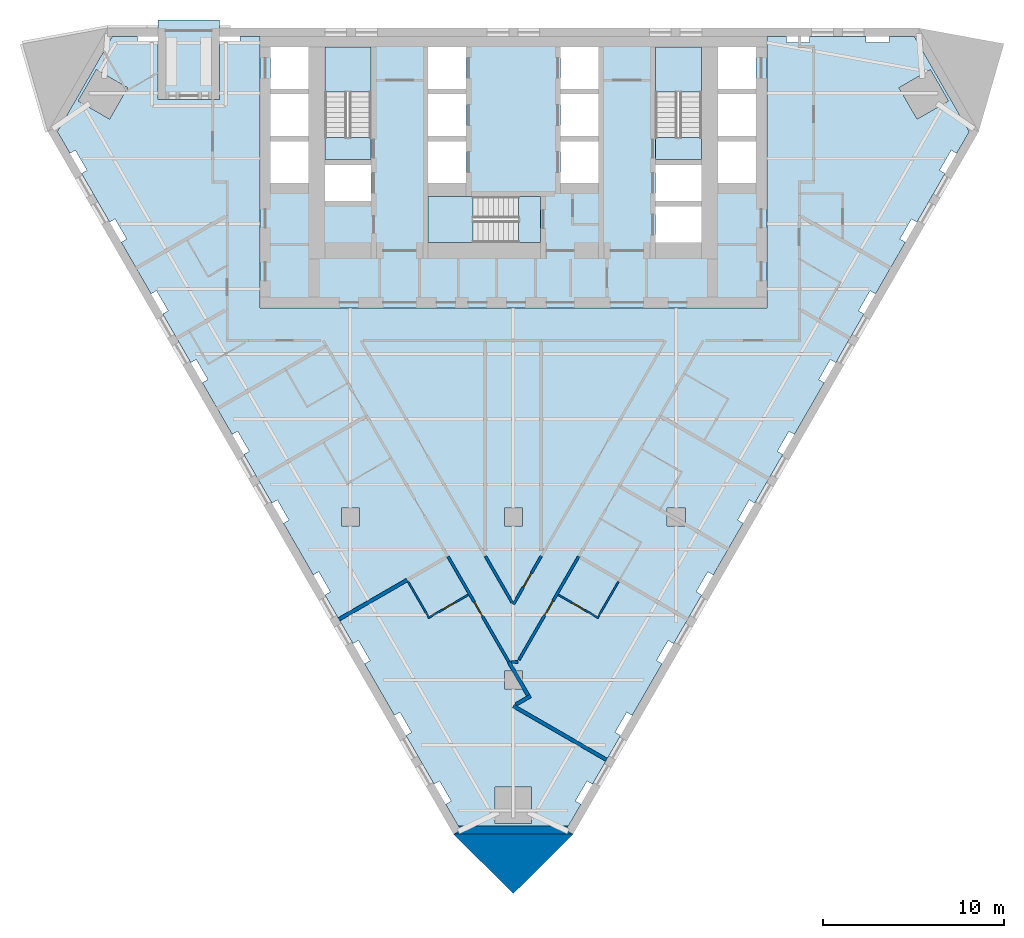
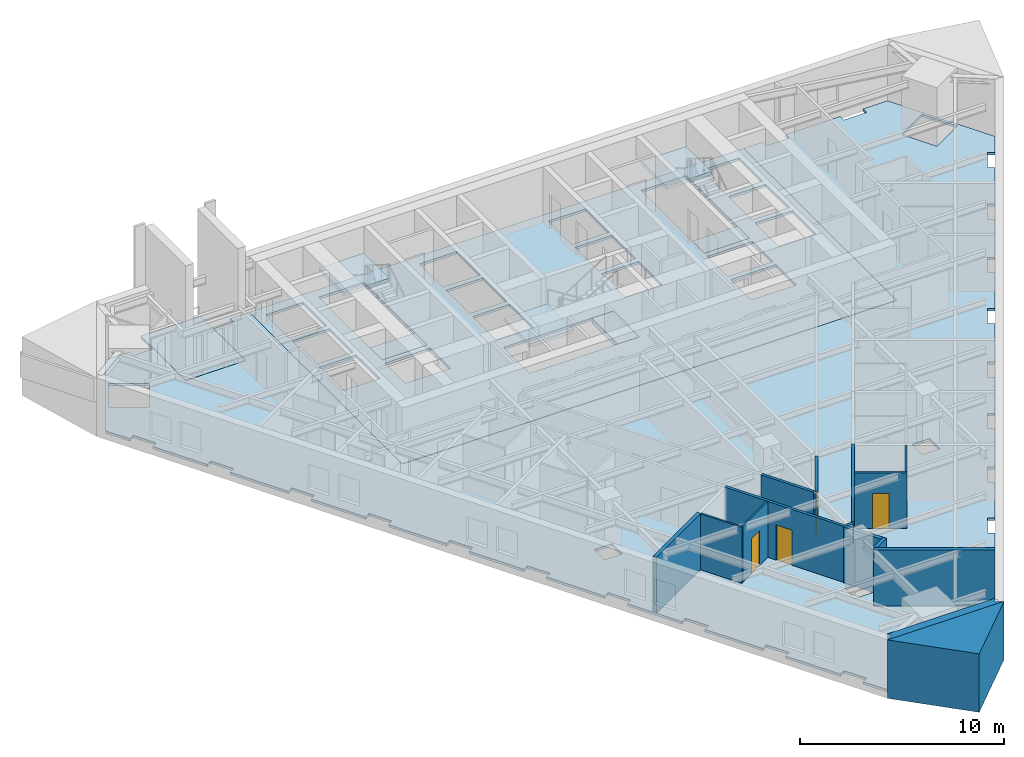
# One storey, part 2 of 10: 15 walls, 9 slabs, 5 doors, 5 openings, 3 elements without a shape of their own.
"""IFC4 building model written with IfcOpenShell, lengths in metres."""

from ifc_helpers import new_model, si_unit, direction, frame, frame_2d, origin, place, context, subcontext, project, spatial, polyline, rectangle, outline, extrude, material, layer, layer_set, type_object, element, fill, aggregate, save


model = new_model("IFC4")

# Units and contexts
model_context = context("Model", 3, precision=1e-05, world=origin(), true_north=direction((0.0, 1.0)))
body_context = subcontext(model_context, "Body", "Model", "MODEL_VIEW")
ifc_project = project(units=[si_unit("LENGTHUNIT", "METRE"), si_unit("AREAUNIT", "SQUARE_METRE"), si_unit("VOLUMEUNIT", "CUBIC_METRE"), si_unit("PLANEANGLEUNIT", "RADIAN"), si_unit("MASSUNIT", "GRAM", prefix="KILO")], contexts=[model_context])

# Site, building, storey
site_placement = place(None, origin())
site = spatial("IfcSite", under=ifc_project, at=site_placement, CompositionType="ELEMENT")
building_placement = place(site_placement, origin())
building = spatial("IfcBuilding", under=site, at=building_placement, Name="Aloe Facet Convention Tower", CompositionType="ELEMENT")
storey_placement = place(building_placement, frame((0.0, 0.0, 45.5)))
storey = spatial("IfcBuildingStorey", under=building, at=storey_placement, Name="L09", CompositionType="ELEMENT", Elevation=45.5)

# Slabs
ifc_material_1 = material(Name="Concrete C80/95", Category="concrete")
ifc_layer_1 = layer(ifc_material_1, 0.14990234375)
ifc_layer_set_1 = layer_set([ifc_layer_1], Name="CR-S-FLOOR150-C8095")
slab_type_1 = type_object("IfcSlabType", Name="CR-S-FLOOR150-C8095", PredefinedType="FLOOR", material=ifc_layer_set_1)
slab_1_placement = place(storey_placement, frame((0.0, 0.0, -0.14990234375)))
element("IfcSlab", 1, at=slab_1_placement, inside=storey, type_object=slab_type_1, Name="Core floor L09", PredefinedType="FLOOR", context=body_context, shape_type="SweptSolid", body=[
    extrude(outline(polyline([(69.300048828125, 134.550048828125), (71.85009765625, 134.550048828125), (72.75, 134.550048828125), (74.699951171875, 134.550048828125), (75.60009765625, 134.550048828125), (77.10009765625, 134.550048828125), (78.0, 134.550048828125), (82.0, 134.550048828125), (82.89990234375, 134.550048828125), (84.39990234375, 134.550048828125), (85.300048828125, 134.550048828125), (87.25, 134.550048828125), (88.14990234375, 134.550048828125), (90.699951171875, 134.550048828125), (91.0, 134.550048828125), (94.0, 134.550048828125), (94.0, 131.949951171875), (94.0, 131.050048828125), (94.0, 129.35009765625), (94.0, 128.449951171875), (94.0, 126.449951171875), (94.0, 125.85009765625), (94.0, 123.57373046875), (94.0, 122.523681640625), (94.0, 119.550048828125), (91.300048828125, 119.550048828125), (90.699951171875, 119.550048828125), (87.89990234375, 119.550048828125), (86.85009765625, 119.550048828125), (85.699951171875, 119.550048828125), (84.64990234375, 119.550048828125), (83.699951171875, 119.550048828125), (82.64990234375, 119.550048828125), (81.75, 119.550048828125), (80.699951171875, 119.550048828125), (79.61669921875, 119.550048828125), (78.566650390625, 119.550048828125), (77.4833984375, 119.550048828125), (76.433349609375, 119.550048828125), (75.35009765625, 119.550048828125), (74.300048828125, 119.550048828125), (73.14990234375, 119.550048828125), (72.10009765625, 119.550048828125), (69.300048828125, 119.550048828125), (68.699951171875, 119.550048828125), (66.0, 119.550048828125), (66.0, 122.523681640625), (66.0, 123.57373046875), (66.0, 125.85009765625), (66.0, 126.449951171875), (66.0, 128.449951171875), (66.0, 129.35009765625), (66.0, 131.050048828125), (66.0, 131.949951171875), (66.0, 134.550048828125), (69.0, 134.550048828125), (69.300048828125, 134.550048828125)]), holes=[polyline([(75.300048828125, 123.14990234375), (80.298828125, 123.14990234375), (81.5, 123.14990234375), (81.5, 125.699951171875), (80.298828125, 125.699951171875), (75.300048828125, 125.699951171875), (75.300048828125, 123.14990234375)]), polyline([(69.60009765625, 125.449951171875), (72.14990234375, 125.449951171875), (72.14990234375, 127.449951171875), (69.60009765625, 127.449951171875), (69.60009765625, 125.449951171875)]), polyline([(66.60009765625, 126.449951171875), (68.699951171875, 126.449951171875), (68.699951171875, 128.75), (66.60009765625, 128.75), (66.60009765625, 126.449951171875)]), polyline([(75.300048828125, 126.449951171875), (77.39990234375, 126.449951171875), (77.39990234375, 128.75), (75.300048828125, 128.75), (75.300048828125, 126.449951171875)]), polyline([(66.60009765625, 129.050048828125), (68.699951171875, 129.050048828125), (68.699951171875, 131.35009765625), (66.60009765625, 131.35009765625), (66.60009765625, 129.050048828125)]), polyline([(75.300048828125, 129.050048828125), (77.39990234375, 129.050048828125), (77.39990234375, 131.35009765625), (75.300048828125, 131.35009765625), (75.300048828125, 129.050048828125)]), polyline([(69.60009765625, 133.949951171875), (69.60009765625, 128.951171875), (69.60009765625, 127.75), (72.14990234375, 127.75), (72.14990234375, 128.951171875), (72.14990234375, 133.949951171875), (69.60009765625, 133.949951171875)]), polyline([(66.60009765625, 133.949951171875), (66.60009765625, 131.64990234375), (68.699951171875, 131.64990234375), (68.699951171875, 133.949951171875), (66.60009765625, 133.949951171875)]), polyline([(75.300048828125, 133.949951171875), (75.300048828125, 131.64990234375), (77.39990234375, 131.64990234375), (77.39990234375, 133.949951171875), (75.300048828125, 133.949951171875)]), polyline([(87.85009765625, 123.14990234375), (90.39990234375, 123.14990234375), (90.39990234375, 125.14990234375), (87.85009765625, 125.14990234375), (87.85009765625, 123.14990234375)]), polyline([(87.85009765625, 125.449951171875), (90.39990234375, 125.449951171875), (90.39990234375, 127.449951171875), (87.85009765625, 127.449951171875), (87.85009765625, 125.449951171875)]), polyline([(82.60009765625, 126.449951171875), (84.699951171875, 126.449951171875), (84.699951171875, 128.75), (82.60009765625, 128.75), (82.60009765625, 126.449951171875)]), polyline([(91.300048828125, 126.449951171875), (93.39990234375, 126.449951171875), (93.39990234375, 128.75), (91.300048828125, 128.75), (91.300048828125, 126.449951171875)]), polyline([(82.60009765625, 129.050048828125), (84.699951171875, 129.050048828125), (84.699951171875, 131.35009765625), (82.60009765625, 131.35009765625), (82.60009765625, 129.050048828125)]), polyline([(91.300048828125, 129.050048828125), (93.39990234375, 129.050048828125), (93.39990234375, 131.35009765625), (91.300048828125, 131.35009765625), (91.300048828125, 129.050048828125)]), polyline([(87.85009765625, 133.949951171875), (87.85009765625, 128.951171875), (87.85009765625, 127.75), (90.39990234375, 127.75), (90.39990234375, 128.951171875), (90.39990234375, 133.949951171875), (87.85009765625, 133.949951171875)]), polyline([(82.60009765625, 133.949951171875), (82.60009765625, 131.64990234375), (84.699951171875, 131.64990234375), (84.699951171875, 133.949951171875), (82.60009765625, 133.949951171875)]), polyline([(91.300048828125, 133.949951171875), (91.300048828125, 131.64990234375), (93.39990234375, 131.64990234375), (93.39990234375, 133.949951171875), (91.300048828125, 133.949951171875)])]), origin(), (0.0, 0.0, 1.0), 0.14990234375),
])
ifc_material_2 = material(Name="Concrete C80/95", Category="concrete")
ifc_layer_2 = layer(ifc_material_2, 0.300048828125)
ifc_layer_set_2 = layer_set([ifc_layer_2], Name="CR-S-FLOOR300-C8095")
slab_type_2 = type_object("IfcSlabType", Name="CR-S-FLOOR300-C8095", PredefinedType="FLOOR", material=ifc_layer_set_2)
slab_2_placement = place(storey_placement, frame((0.0, 0.0, -0.300048828125)))
element("IfcSlab", 2, at=slab_2_placement, inside=storey, type_object=slab_type_2, Name="Stair landing floor L09", PredefinedType="FLOOR", context=body_context, shape_type="SweptSolid", body=[
    extrude(outline(polyline([(72.14990234375, 127.75), (72.14990234375, 128.951171875), (69.60009765625, 128.951171875), (69.60009765625, 127.75), (72.14990234375, 127.75)])), origin(), (0.0, 0.0, 1.0), 0.300048828125),
])
slab_3_placement = place(storey_placement, frame((0.0, 0.0, -0.300048828125)))
element("IfcSlab", 3, at=slab_3_placement, inside=storey, type_object=slab_type_2, Name="Stair landing floor L09", PredefinedType="FLOOR", context=body_context, shape_type="SweptSolid", body=[
    extrude(outline(polyline([(90.39990234375, 127.75), (90.39990234375, 128.951171875), (87.85009765625, 128.951171875), (87.85009765625, 127.75), (90.39990234375, 127.75)])), origin(), (0.0, 0.0, 1.0), 0.300048828125),
])
slab_4_placement = place(storey_placement, frame((0.0, 0.0, -0.300048828125)))
element("IfcSlab", 4, at=slab_4_placement, inside=storey, type_object=slab_type_2, Name="Stair landing floor L09", PredefinedType="FLOOR", context=body_context, shape_type="SweptSolid", body=[
    extrude(outline(polyline([(81.5, 125.699951171875), (80.298828125, 125.699951171875), (80.298828125, 123.14990234375), (81.5, 123.14990234375), (81.5, 125.699951171875)])), origin(), (0.0, 0.0, 1.0), 0.300048828125),
])

# Stair, slab
ifc_material_3 = material(Name="Concrete C50/60", Category="concrete")
stair_type = type_object("IfcStairType", Name="CR-ST-20R", PredefinedType="HALF_TURN_STAIR", material=ifc_material_3)
stair_1_placement = place(storey_placement, origin())
stair_1 = element("IfcStair", 5, at=stair_1_placement, inside=storey, type_object=stair_type, Name="L09 Protected exit stair ST1", PredefinedType="HALF_TURN_STAIR")
ifc_material_4 = material(Name="Concrete C50/60", Category="concrete")
ifc_layer_3 = layer(ifc_material_4, 0.199951171875)
ifc_layer_set_3 = layer_set([ifc_layer_3], Name="CR-SL-LANDING")
slab_type_3 = type_object("IfcSlabType", Name="CR-SL-LANDING", PredefinedType="LANDING", material=ifc_layer_set_3)
slab_5_placement = place(storey_placement, frame((0.0, 0.0, 1.550048828125)))
slab_5 = element("IfcSlab", 6, at=slab_5_placement, type_object=slab_type_3, Name="ST1 landing 1", PredefinedType="LANDING", context=body_context, shape_type="SweptSolid", body=[
    extrude(outline(polyline([(72.14990234375, 131.469970703125), (72.14990234375, 133.949951171875), (69.60009765625, 133.949951171875), (69.60009765625, 131.469970703125), (72.14990234375, 131.469970703125)])), origin(), (0.0, 0.0, 1.0), 0.199951171875),
])
aggregate(stair_1, [slab_5])

stair_2_placement = place(storey_placement, origin())
stair_2 = element("IfcStair", 7, at=stair_2_placement, inside=storey, type_object=stair_type, Name="L09 Protected exit stair ST2", PredefinedType="HALF_TURN_STAIR")
slab_6_placement = place(storey_placement, frame((0.0, 0.0, 1.550048828125)))
slab_6 = element("IfcSlab", 8, at=slab_6_placement, type_object=slab_type_3, Name="ST2 landing 1", PredefinedType="LANDING", context=body_context, shape_type="SweptSolid", body=[
    extrude(outline(polyline([(90.39990234375, 131.469970703125), (90.39990234375, 133.949951171875), (87.85009765625, 133.949951171875), (87.85009765625, 131.469970703125), (90.39990234375, 131.469970703125)])), origin(), (0.0, 0.0, 1.0), 0.199951171875),
])
aggregate(stair_2, [slab_6])

stair_3_placement = place(storey_placement, origin())
stair_3 = element("IfcStair", 9, at=stair_3_placement, inside=storey, type_object=stair_type, Name="L09 Protected exit stair ST3", PredefinedType="HALF_TURN_STAIR")
slab_7_placement = place(storey_placement, frame((0.0, 0.0, 1.550048828125)))
slab_7 = element("IfcSlab", 10, at=slab_7_placement, type_object=slab_type_3, Name="ST3 landing 1", PredefinedType="LANDING", context=body_context, shape_type="SweptSolid", body=[
    extrude(outline(polyline([(77.780029296875, 125.699951171875), (75.300048828125, 125.699951171875), (75.300048828125, 123.14990234375), (77.780029296875, 123.14990234375), (77.780029296875, 125.699951171875)])), origin(), (0.0, 0.0, 1.0), 0.199951171875),
])
aggregate(stair_3, [slab_7])

# Slabs
ifc_material_5 = material(Name="Concrete C35/45", Category="concrete")
ifc_layer_4 = layer(ifc_material_5, 0.14990234375)
ifc_layer_set_4 = layer_set([ifc_layer_4], Name="SF-FS-150")
slab_type_4 = type_object("IfcSlabType", Name="SF-FS-150", PredefinedType="FLOOR", material=ifc_layer_set_4)
slab_8_placement = place(storey_placement, frame((0.0, 0.0, -0.14990234375)))
element("IfcSlab", 11, at=slab_8_placement, inside=storey, type_object=slab_type_4, Name="Floor slab L09-1", PredefinedType="FLOOR", context=body_context, shape_type="SweptSolid", body=[
    extrude(outline(polyline([(105.180419921875, 129.2841796875), (104.487060546875, 128.08349609375), (104.18408203125, 128.25830078125), (103.54248046875, 127.147216796875), (103.845458984375, 126.97216796875), (102.295166015625, 124.286865234375), (101.991943359375, 124.4619140625), (101.350341796875, 123.350341796875), (101.653564453125, 123.17529296875), (100.007080078125, 120.32373046875), (99.7041015625, 120.498779296875), (99.0625, 119.387451171875), (99.365478515625, 119.21240234375), (97.815185546875, 116.527099609375), (97.511962890625, 116.7021484375), (96.870361328125, 115.5908203125), (97.173583984375, 115.416015625), (95.527099609375, 112.564208984375), (95.22412109375, 112.7392578125), (94.58251953125, 111.6279296875), (94.885498046875, 111.452880859375), (93.335205078125, 108.767578125), (93.031982421875, 108.942626953125), (92.390380859375, 107.831298828125), (92.693603515625, 107.65625), (91.047119140625, 104.8046875), (90.743896484375, 104.979736328125), (90.102294921875, 103.868408203125), (90.405517578125, 103.693359375), (88.85498046875, 101.008056640625), (88.552001953125, 101.18310546875), (87.910400390625, 100.07177734375), (88.21337890625, 99.896728515625), (86.567138671875, 97.045166015625), (86.263916015625, 97.22021484375), (85.622314453125, 96.108642578125), (85.925537109375, 95.93359375), (84.375, 93.248291015625), (84.072021484375, 93.42333984375), (83.430419921875, 92.31201171875), (83.7333984375, 92.13720703125), (83.040283203125, 90.936279296875), (76.959716796875, 90.936279296875), (76.2666015625, 92.13720703125), (76.569580078125, 92.31201171875), (75.927978515625, 93.42333984375), (75.625, 93.248291015625), (74.074462890625, 95.93359375), (74.377685546875, 96.108642578125), (73.736083984375, 97.22021484375), (73.432861328125, 97.045166015625), (71.78662109375, 99.896728515625), (72.089599609375, 100.07177734375), (71.447998046875, 101.18310546875), (71.14501953125, 101.008056640625), (69.594482421875, 103.693359375), (69.897705078125, 103.868408203125), (69.256103515625, 104.979736328125), (68.952880859375, 104.8046875), (67.306396484375, 107.65625), (67.609619140625, 107.831298828125), (66.968017578125, 108.942626953125), (66.664794921875, 108.767578125), (65.114501953125, 111.452880859375), (65.41748046875, 111.6279296875), (64.77587890625, 112.7392578125), (64.472900390625, 112.564208984375), (62.826416015625, 115.416015625), (63.129638671875, 115.5908203125), (62.488037109375, 116.7021484375), (62.184814453125, 116.527099609375), (60.634521484375, 119.21240234375), (60.9375, 119.387451171875), (60.2958984375, 120.498779296875), (59.992919921875, 120.32373046875), (58.346435546875, 123.17529296875), (58.649658203125, 123.350341796875), (58.008056640625, 124.4619140625), (57.704833984375, 124.286865234375), (56.154541015625, 126.97216796875), (56.45751953125, 127.147216796875), (55.81591796875, 128.25830078125), (55.512939453125, 128.08349609375), (54.819580078125, 129.2841796875), (57.85986328125, 134.550048828125), (59.246337890625, 134.550048828125), (59.246337890625, 134.199951171875), (60.3798828125, 134.199951171875), (60.3798828125, 131.050048828125), (63.780029296875, 131.050048828125), (63.780029296875, 134.199951171875), (64.91357421875, 134.199951171875), (64.91357421875, 134.550048828125), (66.0, 134.550048828125), (66.0, 131.949951171875), (66.0, 131.050048828125), (66.0, 129.35009765625), (66.0, 128.449951171875), (66.0, 126.449951171875), (66.0, 125.85009765625), (66.0, 123.57373046875), (66.0, 122.523681640625), (66.0, 119.550048828125), (68.699951171875, 119.550048828125), (69.300048828125, 119.550048828125), (72.10009765625, 119.550048828125), (73.14990234375, 119.550048828125), (74.300048828125, 119.550048828125), (75.35009765625, 119.550048828125), (76.433349609375, 119.550048828125), (77.4833984375, 119.550048828125), (78.566650390625, 119.550048828125), (79.61669921875, 119.550048828125), (80.699951171875, 119.550048828125), (81.75, 119.550048828125), (82.64990234375, 119.550048828125), (83.699951171875, 119.550048828125), (84.64990234375, 119.550048828125), (85.699951171875, 119.550048828125), (86.85009765625, 119.550048828125), (87.89990234375, 119.550048828125), (90.699951171875, 119.550048828125), (91.300048828125, 119.550048828125), (94.0, 119.550048828125), (94.0, 122.523681640625), (94.0, 123.57373046875), (94.0, 125.85009765625), (94.0, 126.449951171875), (94.0, 128.449951171875), (94.0, 129.35009765625), (94.0, 131.050048828125), (94.0, 131.949951171875), (94.0, 134.550048828125), (95.08642578125, 134.550048828125), (95.08642578125, 134.199951171875), (96.36962890625, 134.199951171875), (96.36962890625, 134.550048828125), (99.470458984375, 134.550048828125), (99.470458984375, 134.199951171875), (100.753662109375, 134.199951171875), (100.753662109375, 134.550048828125), (102.14013671875, 134.550048828125), (105.180419921875, 129.2841796875)]), holes=[polyline([(80.5, 98.5), (80.5, 99.5), (79.5, 99.5), (79.5, 98.5), (80.5, 98.5)]), polyline([(80.5, 107.5), (80.5, 108.5), (79.5, 108.5), (79.5, 107.5), (80.5, 107.5)]), polyline([(71.5, 107.5), (71.5, 108.5), (70.5, 108.5), (70.5, 107.5), (71.5, 107.5)]), polyline([(58.70166015625, 131.7080078125), (56.969482421875, 132.7080078125), (55.969482421875, 130.97607421875), (57.70166015625, 129.97607421875), (58.70166015625, 131.7080078125)]), polyline([(79.0, 91.086181640625), (81.0, 91.086181640625), (81.0, 93.086181640625), (79.0, 93.086181640625), (79.0, 91.086181640625)]), polyline([(89.5, 107.5), (89.5, 108.5), (88.5, 108.5), (88.5, 107.5), (89.5, 107.5)]), polyline([(102.29833984375, 129.97607421875), (104.030517578125, 130.97607421875), (103.030517578125, 132.7080078125), (101.29833984375, 131.7080078125), (102.29833984375, 129.97607421875)])]), origin(), (0.0, 0.0, 1.0), 0.14990234375),
])
ifc_material_6 = material(Name="Concrete C35/45", Category="concrete")
ifc_layer_5 = layer(ifc_material_6, 0.14990234375)
ifc_layer_set_5 = layer_set([ifc_layer_5], Name="SF-TS-150")
slab_type_5 = type_object("IfcSlabType", Name="SF-TS-150", PredefinedType="FLOOR", material=ifc_layer_set_5)
slab_9_placement = place(storey_placement, frame((0.0, 0.0, -0.14990234375)))
element("IfcSlab", 12, at=slab_9_placement, inside=storey, type_object=slab_type_5, Name="Terrace slab T01", PredefinedType="FLOOR", context=body_context, shape_type="SweptSolid", body=[
    extrude(outline(polyline([(63.780029296875, 135.449951171875), (63.780029296875, 131.050048828125), (60.3798828125, 131.050048828125), (60.3798828125, 135.449951171875), (63.780029296875, 135.449951171875)])), origin(), (0.0, 0.0, 1.0), 0.14990234375),
])

# Walls
ifc_material_7 = material(Name="Precast concrete C40/50", Category="concrete")
ifc_layer_6 = layer(ifc_material_7, 0.449951171875)
ifc_layer_set_6 = layer_set([ifc_layer_6], Name="EV-WALL-PIER")
wall_type_1 = type_object("IfcWallType", Name="EV-WALL-PIER", PredefinedType="SOLIDWALL", material=ifc_layer_set_6)
wall_1_placement = place(storey_placement, frame((0.0, 0.0, -0.14990234375)))
element("IfcWall", 13, at=wall_1_placement, inside=storey, type_object=wall_type_1, Name="EP-L09-B", PredefinedType="SOLIDWALL", context=body_context, shape_type="SweptSolid", body=[
    extrude(outline(polyline([(76.699951171875, 90.486328125), (77.089599609375, 90.711181640625), (76.959716796875, 90.936279296875), (83.040283203125, 90.936279296875), (82.910400390625, 90.711181640625), (83.300048828125, 90.486328125), (76.699951171875, 90.486328125)])), origin(), (0.0, 0.0, 1.0), 3.5),
])
ifc_material_8 = material(Name="Precast concrete C40/50", Category="concrete")
ifc_layer_7 = layer(ifc_material_8, 3.947998046875)
ifc_layer_set_7 = layer_set([ifc_layer_7], Name="EV-WALL-SPINE")
wall_type_2 = type_object("IfcWallType", Name="EV-WALL-SPINE", PredefinedType="SOLIDWALL", material=ifc_layer_set_7)
wall_2_placement = place(storey_placement, frame((0.0, 0.0, -0.14990234375)))
element("IfcWall", 14, at=wall_2_placement, inside=storey, type_object=wall_type_2, Name="SP-S-L09", PredefinedType="SOLIDWALL", context=body_context, shape_type="SweptSolid", body=[
    extrude(outline(polyline([(76.699951171875, 90.486328125), (80.0, 87.19970703125), (83.300048828125, 90.486328125), (76.699951171875, 90.486328125)])), origin(), (0.0, 0.0, 1.0), 3.5),
])

# Wall, opening, door
ifc_material_9 = material(Name="Gypsum board partition on steel studs", Category="steel")
ifc_layer_8 = layer(ifc_material_9, 0.14990234375)
ifc_layer_set_8 = layer_set([ifc_layer_8], Name="IN-W-CORR")
wall_type_3 = type_object("IfcWallType", Name="IN-W-CORR", PredefinedType="PARTITIONING", material=ifc_layer_set_8)
wall_3_placement = place(storey_placement, frame((76.388671875, 105.82568359375, 0.0), z_axis=(0.0, 0.0, 1.0), x_axis=(0.499980071345, -0.866036909293, 0.0)))
wall_3 = element("IfcWall", 15, at=wall_3_placement, inside=storey, type_object=wall_type_3, Name="Partition L09-W004", PredefinedType="PARTITIONING", context=body_context, shape_type="SweptSolid", body=[
    extrude(rectangle(XDim=6.726806640625, YDim=0.14990234375, at=frame_2d((3.36328125, 0.0))), origin(), (0.0, 0.0, 1.0), 3.35009765625),
])
opening_1_placement = place(wall_3_placement, frame((2.91357421875, 0.0, 0.0)))
opening_1 = element("IfcOpeningElement", 16, at=opening_1_placement, cuts=wall_3, Name="Opening L09-007", PredefinedType="OPENING", context=body_context, shape_type="SweptSolid", body=[
    extrude(rectangle(XDim=0.89990234375, YDim=2.10009765625, at=frame_2d((0.449951171875, 1.050048828125))), frame((0.0, 0.0849609375, 0.0), z_axis=(0.0, -1.0, 0.0), x_axis=(1.0, 0.0, 0.0)), (0.0, 0.0, 1.0), 0.169921875),
])
ifc_material_10 = material(Name="Hardwood flush door FD30S", Category="wood")
door_type_1 = type_object("IfcDoorType", Name="IN-D-GUEST", OperationType="SINGLE_SWING_LEFT", PredefinedType="DOOR", material=ifc_material_10)
door_1_placement = place(opening_1_placement, origin())
door_1 = element("IfcDoor", 17, at=door_1_placement, inside=storey, type_object=door_type_1, Name="Door L09-007", OperationType="SINGLE_SWING_LEFT", OverallHeight=2.10009765625, OverallWidth=0.89990234375, PredefinedType="DOOR", context=body_context, shape_type="SweptSolid", body=[
    extrude(rectangle(XDim=0.89990234375, YDim=2.10009765625, at=frame_2d((0.449951171875, 1.050048828125))), frame((0.0, 0.02490234375, 0.0), z_axis=(0.0, -1.0, 0.0), x_axis=(1.0, 0.0, 0.0)), (0.0, 0.0, 1.0), 0.050048828125),
])
fill(opening_1, door_1)

# Wall
wall_4_placement = place(storey_placement, frame((79.89208984375, 100.0, 0.0), z_axis=(0.0, 0.0, 1.0), x_axis=(1.0, 0.0, 0.0)))
element("IfcWall", 18, at=wall_4_placement, inside=storey, type_object=wall_type_3, Name="Partition L09-W005", PredefinedType="PARTITIONING", context=body_context, shape_type="SweptSolid", body=[
    extrude(rectangle(XDim=0.35546875, YDim=0.14990234375, at=frame_2d((0.177734375, 0.0))), origin(), (0.0, 0.0, 1.0), 3.35009765625),
])

# Wall, opening, door
wall_5_placement = place(storey_placement, frame((80.0, 103.17041015625, 0.0), z_axis=(0.0, 0.0, 1.0), x_axis=(0.499980071345, 0.866036909293, 0.0)))
wall_5 = element("IfcWall", 19, at=wall_5_placement, inside=storey, type_object=wall_type_3, Name="Partition L09-W010", PredefinedType="PARTITIONING", context=body_context, shape_type="SweptSolid", body=[
    extrude(rectangle(XDim=3.090087890625, YDim=0.14990234375, at=frame_2d((1.544921875, 0.0))), origin(), (0.0, 0.0, 1.0), 3.35009765625),
])
opening_2_placement = place(wall_5_placement, frame((1.094970703125, 0.0, 0.0)))
opening_2 = element("IfcOpeningElement", 20, at=opening_2_placement, cuts=wall_5, Name="Opening L09-014", PredefinedType="OPENING", context=body_context, shape_type="SweptSolid", body=[
    extrude(rectangle(XDim=0.89990234375, YDim=2.10009765625, at=frame_2d((0.449951171875, 1.050048828125))), frame((0.0, 0.0849609375, 0.0), z_axis=(0.0, -1.0, 0.0), x_axis=(1.0, 0.0, 0.0)), (0.0, 0.0, 1.0), 0.169921875),
])
door_2_placement = place(opening_2_placement, origin())
door_2 = element("IfcDoor", 21, at=door_2_placement, inside=storey, type_object=door_type_1, Name="Door L09-014", OperationType="SINGLE_SWING_LEFT", OverallHeight=2.10009765625, OverallWidth=0.89990234375, PredefinedType="DOOR", context=body_context, shape_type="SweptSolid", body=[
    extrude(rectangle(XDim=0.89990234375, YDim=2.10009765625, at=frame_2d((0.449951171875, 1.050048828125))), frame((0.0, 0.02490234375, 0.0), z_axis=(0.0, -1.0, 0.0), x_axis=(1.0, 0.0, 0.0)), (0.0, 0.0, 1.0), 0.050048828125),
])
fill(opening_2, door_2)

wall_6_placement = place(storey_placement, frame((80.312744140625, 100.112548828125, 0.0), z_axis=(0.0, 0.0, 1.0), x_axis=(0.500011833666, 0.866018571506, 0.0)))
wall_6 = element("IfcWall", 22, at=wall_6_placement, inside=storey, type_object=wall_type_3, Name="Partition L09-W021", PredefinedType="PARTITIONING", context=body_context, shape_type="SweptSolid", body=[
    extrude(rectangle(XDim=6.596923828125, YDim=0.14990234375, at=frame_2d((3.29833984375, 0.0))), origin(), (0.0, 0.0, 1.0), 3.35009765625),
])
opening_3_placement = place(wall_6_placement, frame((2.8486328125, 0.0, 0.0)))
opening_3 = element("IfcOpeningElement", 23, at=opening_3_placement, cuts=wall_6, Name="Opening L09-008", PredefinedType="OPENING", context=body_context, shape_type="SweptSolid", body=[
    extrude(rectangle(XDim=0.89990234375, YDim=2.10009765625, at=frame_2d((0.449951171875, 1.050048828125))), frame((0.0, 0.0849609375, 0.0), z_axis=(0.0, -1.0, 0.0), x_axis=(1.0, 0.0, 0.0)), (0.0, 0.0, 1.0), 0.169921875),
])
door_3_placement = place(opening_3_placement, origin())
door_3 = element("IfcDoor", 24, at=door_3_placement, inside=storey, type_object=door_type_1, Name="Door L09-008", OperationType="SINGLE_SWING_LEFT", OverallHeight=2.10009765625, OverallWidth=0.89990234375, PredefinedType="DOOR", context=body_context, shape_type="SweptSolid", body=[
    extrude(rectangle(XDim=0.89990234375, YDim=2.10009765625, at=frame_2d((0.449951171875, 1.050048828125))), frame((0.0, 0.02490234375, 0.0), z_axis=(0.0, -1.0, 0.0), x_axis=(1.0, 0.0, 0.0)), (0.0, 0.0, 1.0), 0.050048828125),
])
fill(opening_3, door_3)

# Walls
wall_7_placement = place(storey_placement, frame((78.455078125, 105.846435546875, 0.0), z_axis=(0.0, 0.0, 1.0), x_axis=(0.499988999718, -0.866031754707, 0.0)))
element("IfcWall", 25, at=wall_7_placement, inside=storey, type_object=wall_type_3, Name="Partition L09-W024", PredefinedType="PARTITIONING", context=body_context, shape_type="SweptSolid", body=[
    extrude(rectangle(XDim=2.9599609375, YDim=0.14990234375, at=frame_2d((1.47998046875, 0.0))), origin(), (0.0, 0.0, 1.0), 3.35009765625),
])
ifc_material_11 = material(Name="Gypsum board partition on steel studs", Category="steel")
ifc_layer_9 = layer(ifc_material_11, 0.10009765625)
ifc_layer_set_9 = layer_set([ifc_layer_9], Name="IN-W-PART")
wall_type_4 = type_object("IfcWallType", Name="IN-W-PART", PredefinedType="PARTITIONING", material=ifc_layer_set_9)
wall_8_placement = place(storey_placement, frame((74.19189453125, 104.430419921875, 0.0), z_axis=(0.0, 0.0, 1.0), x_axis=(0.499954256575, -0.866051812152, 0.0)))
element("IfcWall", 26, at=wall_8_placement, inside=storey, type_object=wall_type_4, Name="Partition L09-W008", PredefinedType="PARTITIONING", context=body_context, shape_type="SweptSolid", body=[
    extrude(rectangle(XDim=2.340087890625, YDim=0.10009765625, at=frame_2d((1.169921875, 0.0))), origin(), (0.0, 0.0, 1.0), 3.35009765625),
])

# Wall, opening, door
wall_9_placement = place(storey_placement, frame((82.476318359375, 103.709716796875, 0.0), z_axis=(0.0, 0.0, 1.0), x_axis=(0.866005588531, -0.500034319456, 0.0)))
wall_9 = element("IfcWall", 27, at=wall_9_placement, inside=storey, type_object=wall_type_4, Name="Partition L09-W009", PredefinedType="PARTITIONING", context=body_context, shape_type="SweptSolid", body=[
    extrude(rectangle(XDim=2.574951171875, YDim=0.10009765625, at=frame_2d((1.28759765625, 0.0))), origin(), (0.0, 0.0, 1.0), 3.35009765625),
])
opening_4_placement = place(wall_9_placement, frame((0.887451171875, 0.0, 0.0)))
opening_4 = element("IfcOpeningElement", 28, at=opening_4_placement, cuts=wall_9, Name="Opening L09-023", PredefinedType="OPENING", context=body_context, shape_type="SweptSolid", body=[
    extrude(rectangle(XDim=0.800048828125, YDim=2.10009765625, at=frame_2d((0.39990234375, 1.050048828125))), frame((0.0, 0.06005859375, 0.0), z_axis=(0.0, -1.0, 0.0), x_axis=(1.0, 0.0, 0.0)), (0.0, 0.0, 1.0), 0.1201171875),
])
ifc_material_12 = material(Name="Timber flush door", Category="wood")
door_type_2 = type_object("IfcDoorType", Name="IN-D-BATH", OperationType="SINGLE_SWING_LEFT", PredefinedType="DOOR", material=ifc_material_12)
door_4_placement = place(opening_4_placement, origin())
door_4 = element("IfcDoor", 29, at=door_4_placement, inside=storey, type_object=door_type_2, Name="Door L09-023", OperationType="SINGLE_SWING_LEFT", OverallHeight=2.10009765625, OverallWidth=0.800048828125, PredefinedType="DOOR", context=body_context, shape_type="SweptSolid", body=[
    extrude(rectangle(XDim=0.800048828125, YDim=2.10009765625, at=frame_2d((0.39990234375, 1.050048828125))), frame((0.0, 0.02490234375, 0.0), z_axis=(0.0, -1.0, 0.0), x_axis=(1.0, 0.0, 0.0)), (0.0, 0.0, 1.0), 0.050048828125),
])
fill(opening_4, door_4)

wall_10_placement = place(storey_placement, frame((75.388916015625, 102.477294921875, 0.0), z_axis=(0.0, 0.0, 1.0), x_axis=(0.866040446274, 0.499973944738, 0.0)))
wall_10 = element("IfcWall", 30, at=wall_10_placement, inside=storey, type_object=wall_type_4, Name="Partition L09-W011", PredefinedType="PARTITIONING", context=body_context, shape_type="SweptSolid", body=[
    extrude(rectangle(XDim=2.465087890625, YDim=0.10009765625, at=frame_2d((1.232421875, 0.0))), origin(), (0.0, 0.0, 1.0), 3.35009765625),
])
opening_5_placement = place(wall_10_placement, frame((0.83251953125, 0.0, 0.0)))
opening_5 = element("IfcOpeningElement", 31, at=opening_5_placement, cuts=wall_10, Name="Opening L09-022", PredefinedType="OPENING", context=body_context, shape_type="SweptSolid", body=[
    extrude(rectangle(XDim=0.800048828125, YDim=2.10009765625, at=frame_2d((0.39990234375, 1.050048828125))), frame((0.0, 0.06005859375, 0.0), z_axis=(0.0, -1.0, 0.0), x_axis=(1.0, 0.0, 0.0)), (0.0, 0.0, 1.0), 0.1201171875),
])
door_5_placement = place(opening_5_placement, origin())
door_5 = element("IfcDoor", 32, at=door_5_placement, inside=storey, type_object=door_type_2, Name="Door L09-022", OperationType="SINGLE_SWING_LEFT", OverallHeight=2.10009765625, OverallWidth=0.800048828125, PredefinedType="DOOR", context=body_context, shape_type="SweptSolid", body=[
    extrude(rectangle(XDim=0.800048828125, YDim=2.10009765625, at=frame_2d((0.39990234375, 1.050048828125))), frame((0.0, 0.02490234375, 0.0), z_axis=(0.0, -1.0, 0.0), x_axis=(1.0, 0.0, 0.0)), (0.0, 0.0, 1.0), 0.050048828125),
])
fill(opening_5, door_5)

# Walls
wall_11_placement = place(storey_placement, frame((84.68798828125, 102.490478515625, 0.0), z_axis=(0.0, 0.0, 1.0), x_axis=(0.500030632641, 0.866007717299, 0.0)))
element("IfcWall", 33, at=wall_11_placement, inside=storey, type_object=wall_type_4, Name="Partition L09-W014", PredefinedType="PARTITIONING", context=body_context, shape_type="SweptSolid", body=[
    extrude(rectangle(XDim=2.239990234375, YDim=0.10009765625, at=frame_2d((1.1201171875, 0.0))), origin(), (0.0, 0.0, 1.0), 3.35009765625),
])
ifc_material_13 = material(Name="Gypsum board partition on steel studs", Category="steel")
ifc_layer_10 = layer(ifc_material_13, 0.199951171875)
ifc_layer_set_10 = layer_set([ifc_layer_10], Name="IN-W-PARTY")
wall_type_5 = type_object("IfcWallType", Name="IN-W-PARTY", PredefinedType="PARTITIONING", material=ifc_layer_set_10)
wall_12_placement = place(storey_placement, frame((80.0, 97.564697265625, 0.0), z_axis=(0.0, 0.0, 1.0), x_axis=(0.866021515814, -0.500006734102, 0.0)))
element("IfcWall", 34, at=wall_12_placement, inside=storey, type_object=wall_type_5, Name="Partition L09-W001", PredefinedType="PARTITIONING", context=body_context, shape_type="SweptSolid", body=[
    extrude(rectangle(XDim=5.947265625, YDim=0.199951171875, at=frame_2d((2.9736328125, 0.0))), origin(), (0.0, 0.0, 1.0), 3.35009765625),
])
wall_13_placement = place(storey_placement, frame((80.14990234375, 97.651123046875, 0.0), z_axis=(0.0, 0.0, 1.0), x_axis=(0.866084982889, 0.499896791762, 0.0)))
element("IfcWall", 35, at=wall_13_placement, inside=storey, type_object=wall_type_5, Name="Partition L09-W002", PredefinedType="PARTITIONING", context=body_context, shape_type="SweptSolid", body=[
    extrude(rectangle(XDim=0.929443359375, YDim=0.199951171875, at=frame_2d((0.46484375, 0.0))), origin(), (0.0, 0.0, 1.0), 3.35009765625),
])
wall_14_placement = place(storey_placement, frame((79.751953125, 100.0, 0.0), z_axis=(0.0, 0.0, 1.0), x_axis=(0.499861813449, -0.866105171129, 0.0)))
element("IfcWall", 36, at=wall_14_placement, inside=storey, type_object=wall_type_5, Name="Partition L09-W003", PredefinedType="PARTITIONING", context=body_context, shape_type="SweptSolid", body=[
    extrude(rectangle(XDim=2.123046875, YDim=0.199951171875, at=frame_2d((1.0615234375, 0.0))), origin(), (0.0, 0.0, 1.0), 3.35009765625),
])
wall_15_placement = place(storey_placement, frame((70.36962890625, 102.3505859375, 0.0), z_axis=(0.0, 0.0, 1.0), x_axis=(0.866027639635, 0.499996127374, 0.0)))
element("IfcWall", 37, at=wall_15_placement, inside=storey, type_object=wall_type_5, Name="Partition L09-W006", PredefinedType="PARTITIONING", context=body_context, shape_type="SweptSolid", body=[
    extrude(rectangle(XDim=4.35009765625, YDim=0.199951171875, at=frame_2d((2.175048828125, 0.0))), origin(), (0.0, 0.0, 1.0), 3.35009765625),
])

save(model, "model.ifc")
